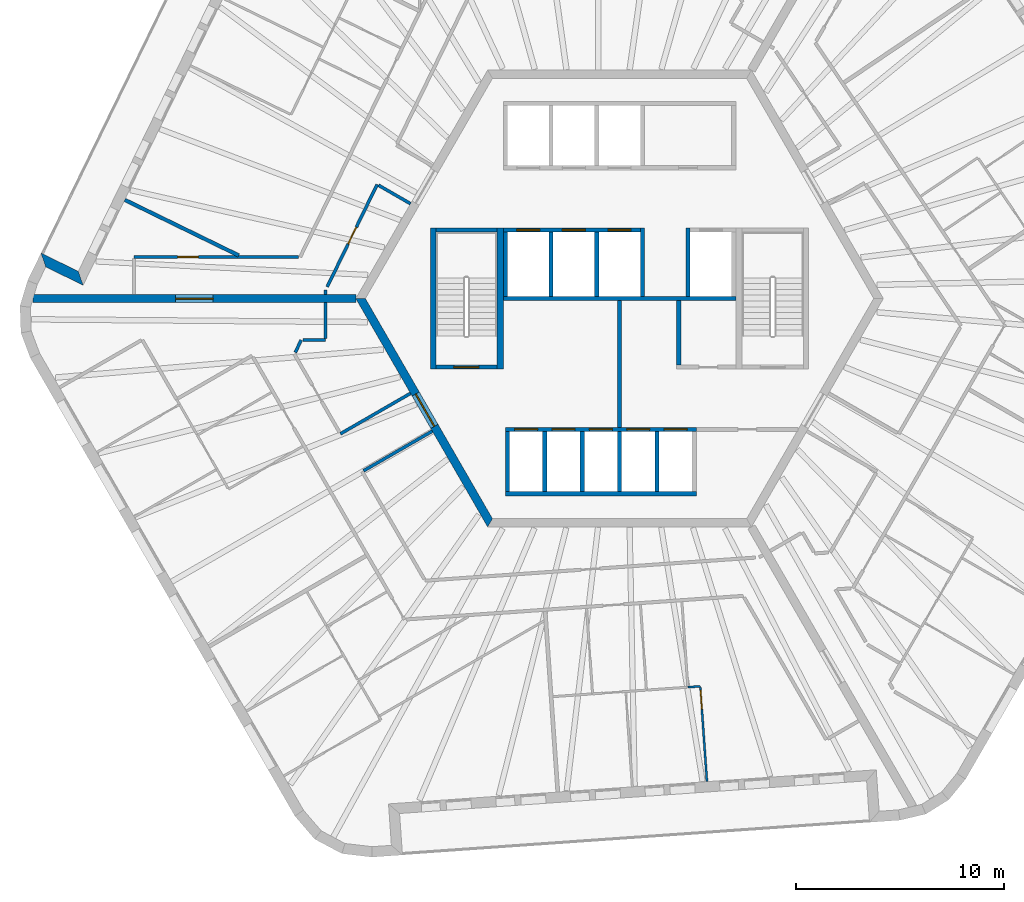
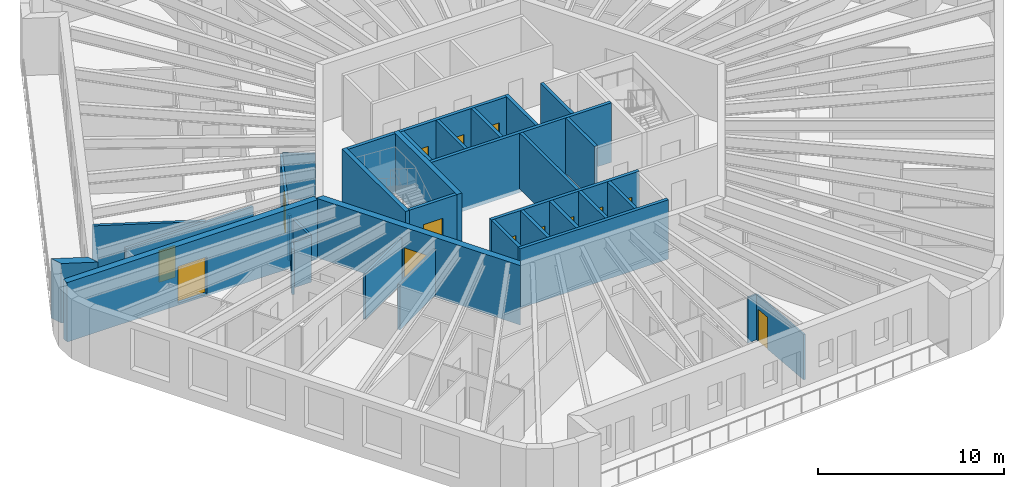
# One storey, part 5 of 12: 35 walls, 14 doors, 14 openings.
"""IFC4 building model written with IfcOpenShell, lengths in metres."""

from ifc_helpers import new_model, si_unit, direction, frame, frame_2d, origin, place, context, subcontext, project, spatial, polyline, rectangle, outline, extrude, material, layer, layer_set, type_object, element, fill, save


model = new_model("IFC4")

# Units and contexts
model_context = context("Model", 3, precision=1e-05, world=origin(), true_north=direction((0.0, 1.0)))
body_context = subcontext(model_context, "Body", "Model", "MODEL_VIEW")
ifc_project = project(units=[si_unit("LENGTHUNIT", "METRE"), si_unit("AREAUNIT", "SQUARE_METRE"), si_unit("VOLUMEUNIT", "CUBIC_METRE"), si_unit("PLANEANGLEUNIT", "RADIAN"), si_unit("MASSUNIT", "GRAM", prefix="KILO")], contexts=[model_context])

# Site, building, storey
site_placement = place(None, origin())
site = spatial("IfcSite", under=ifc_project, at=site_placement, CompositionType="ELEMENT")
building_placement = place(site_placement, origin())
building = spatial("IfcBuilding", under=site, at=building_placement, Name="Tarnside Tower", CompositionType="ELEMENT")
storey_placement = place(building_placement, frame((0.0, 0.0, 322.5)))
storey = spatial("IfcBuildingStorey", under=building, at=storey_placement, Name="L78", CompositionType="ELEMENT", Elevation=322.5)

# Walls
ifc_material_1 = material(Name="Concrete C40/50", Category="concrete")
ifc_layer_1 = layer(ifc_material_1, 0.199951171875)
ifc_layer_set_1 = layer_set([ifc_layer_1], Name="Core room partition 200 C40/50")
wall_type_1 = type_object("IfcWallType", Name="Core room partition 200 C40/50", PredefinedType="PARTITIONING", material=ifc_layer_set_1)
wall_1_placement = place(storey_placement, frame((2.85009765625, -3.199951171875, 0.0), z_axis=(0.0, 0.0, 1.0), x_axis=(0.0, 1.0, 0.0)))
element("IfcWall", 1, at=wall_1_placement, inside=storey, type_object=wall_type_1, Name="L78 core partition R3P1a", PredefinedType="PARTITIONING", context=body_context, shape_type="SweptSolid", body=[
    extrude(rectangle(XDim=3.099853515625, YDim=0.199951171875, at=frame_2d((1.5498046875, 0.0))), origin(), (0.0, 0.0, 1.0), 3.64990234375),
])
wall_2_placement = place(storey_placement, frame((0.0, -6.199951171875, 0.0), z_axis=(0.0, 0.0, 1.0), x_axis=(0.0, 1.0, 0.0)))
element("IfcWall", 2, at=wall_2_placement, inside=storey, type_object=wall_type_1, Name="L78 core partition X0", PredefinedType="PARTITIONING", context=body_context, shape_type="SweptSolid", body=[
    extrude(rectangle(XDim=6.099853515625, YDim=0.199951171875, at=frame_2d((3.0498046875, 0.0))), origin(), (0.0, 0.0, 1.0), 3.64990234375),
])

# Wall, opening, door
ifc_material_2 = material(Name="Concrete C60/75", Category="concrete")
ifc_layer_2 = layer(ifc_material_2, 0.39990234375)
ifc_layer_set_2 = layer_set([ifc_layer_2], Name="Core wall Z3 400 C60/75")
wall_type_2 = type_object("IfcWallType", Name="Core wall Z3 400 C60/75", PredefinedType="SHEAR", material=ifc_layer_set_2)
wall_3_placement = place(storey_placement, frame((-12.470703125, 0.0, -0.14990234375), z_axis=(0.0, 0.0, 1.0), x_axis=(0.499996419489, -0.866027470984, 0.0)))
wall_3 = element("IfcWall", 3, at=wall_3_placement, inside=storey, type_object=wall_type_2, Name="L78 core wall face 3", PredefinedType="SHEAR", context=body_context, shape_type="SweptSolid", body=[
    extrude(outline(polyline([(-0.115478515625, -0.199951171875), (12.586181640625, -0.199951171875), (12.355224609375, 0.199951171875), (0.115478515625, 0.199951171875), (-0.115478515625, -0.199951171875)])), origin(), (0.0, 0.0, 1.0), 3.89990234375),
])
opening_1_placement = place(wall_3_placement, frame((5.306396484375, 0.0, 0.14990234375)))
opening_1 = element("IfcOpeningElement", 4, at=opening_1_placement, cuts=wall_3, Name="Opening CD-FFL", PredefinedType="OPENING", context=body_context, shape_type="SweptSolid", body=[
    extrude(rectangle(XDim=1.800048828125, YDim=2.39990234375, at=frame_2d((0.89990234375, 1.199951171875))), frame((0.0, 0.2099609375, 0.0), z_axis=(0.0, -1.0, 0.0), x_axis=(1.0, 0.0, 0.0)), (0.0, 0.0, 1.0), 0.419921875),
])
ifc_material_3 = material(Name="Steel fire door", Category="steel")
door_type_1 = type_object("IfcDoorType", Name="Firefighting lobby double door FD60S 1800x2400", OperationType="NOTDEFINED", PredefinedType="DOOR", material=ifc_material_3)
door_1_placement = place(opening_1_placement, origin())
door_1 = element("IfcDoor", 5, at=door_1_placement, inside=storey, type_object=door_type_1, Name="L78 core door P3", OperationType="DOUBLE_DOOR_SINGLE_SWING", OverallHeight=2.39990234375, OverallWidth=1.800048828125, PredefinedType="DOOR", context=body_context, shape_type="SweptSolid", body=[
    extrude(rectangle(XDim=1.800048828125, YDim=2.39990234375, at=frame_2d((0.89990234375, 1.199951171875))), frame((0.0, 0.02490234375, 0.0), z_axis=(0.0, -1.0, 0.0), x_axis=(1.0, 0.0, 0.0)), (0.0, 0.0, 1.0), 0.050048828125),
])
fill(opening_1, door_1)

wall_4_placement = place(storey_placement, frame((-12.70166015625, 0.0, -0.14990234375), z_axis=(0.0, 0.0, 1.0), x_axis=(-1.0, 0.0, 0.0)))
wall_4 = element("IfcWall", 6, at=wall_4_placement, inside=storey, type_object=wall_type_2, Name="L78 spine wall 2", PredefinedType="SHEAR", context=body_context, shape_type="SweptSolid", body=[
    extrude(rectangle(XDim=15.54443359375, YDim=0.39990234375, at=frame_2d((7.772216796875, 0.0))), origin(), (0.0, 0.0, 1.0), 3.89990234375),
])
opening_2_placement = place(wall_4_placement, frame((6.872314453125, 0.0, 0.14990234375)))
opening_2 = element("IfcOpeningElement", 7, at=opening_2_placement, cuts=wall_4, Name="Opening CD-SPN", PredefinedType="OPENING", context=body_context, shape_type="SweptSolid", body=[
    extrude(rectangle(XDim=1.800048828125, YDim=2.39990234375, at=frame_2d((0.89990234375, 1.199951171875))), frame((0.0, 0.2099609375, 0.0), z_axis=(0.0, -1.0, 0.0), x_axis=(1.0, 0.0, 0.0)), (0.0, 0.0, 1.0), 0.419921875),
])
door_type_2 = type_object("IfcDoorType", Name="Spine passage double door FD60 1800x2400", OperationType="NOTDEFINED", PredefinedType="DOOR", material=ifc_material_3)
door_2_placement = place(opening_2_placement, origin())
door_2 = element("IfcDoor", 8, at=door_2_placement, inside=storey, type_object=door_type_2, Name="L78 spine passage door 2", OperationType="DOUBLE_DOOR_SINGLE_SWING", OverallHeight=2.39990234375, OverallWidth=1.800048828125, PredefinedType="DOOR", context=body_context, shape_type="SweptSolid", body=[
    extrude(rectangle(XDim=1.800048828125, YDim=2.39990234375, at=frame_2d((0.89990234375, 1.199951171875))), frame((0.0, 0.02490234375, 0.0), z_axis=(0.0, -1.0, 0.0), x_axis=(1.0, 0.0, 0.0)), (0.0, 0.0, 1.0), 0.050048828125),
])
fill(opening_2, door_2)

ifc_material_4 = material(Name="Gypsum board partition on steel studs", Category="steel")
ifc_layer_3 = layer(ifc_material_4, 0.14990234375)
ifc_layer_set_3 = layer_set([ifc_layer_3], Name="Corridor wall 150 EI 60")
wall_type_3 = type_object("IfcWallType", Name="Corridor wall 150 EI 60", PredefinedType="PARTITIONING", material=ifc_layer_set_3)
wall_5_placement = place(storey_placement, frame((-15.463134765625, 2.0, 0.0), z_axis=(0.0, 0.0, 1.0), x_axis=(-1.0, 0.0, 0.0)))
wall_5 = element("IfcWall", 9, at=wall_5_placement, inside=storey, type_object=wall_type_3, Name="Corridor wall 25014", PredefinedType="PARTITIONING", context=body_context, shape_type="SweptSolid", body=[
    extrude(rectangle(XDim=7.910888671875, YDim=0.14990234375, at=frame_2d((3.95556640625, 0.0))), origin(), (0.0, 0.0, 1.0), 2.98779296875),
])
opening_3_placement = place(wall_5_placement, frame((4.8173828125, 0.0, 0.0)))
opening_3 = element("IfcOpeningElement", 10, at=opening_3_placement, cuts=wall_5, Name="Opening D-E1", PredefinedType="OPENING", context=body_context, shape_type="SweptSolid", body=[
    extrude(rectangle(XDim=1.0, YDim=2.10009765625, at=frame_2d((0.5, 1.050048828125))), frame((0.0, 0.0849609375, 0.0), z_axis=(0.0, -1.0, 0.0), x_axis=(1.0, 0.0, 0.0)), (0.0, 0.0, 1.0), 0.169921875),
])
ifc_material_5 = material(Name="Timber door leaf", Category="wood")
door_type_3 = type_object("IfcDoorType", Name="Unit entrance door 1000 FD30S", OperationType="NOTDEFINED", PredefinedType="DOOR", material=ifc_material_5)
door_3_placement = place(opening_3_placement, origin())
door_3 = element("IfcDoor", 11, at=door_3_placement, inside=storey, type_object=door_type_3, Name="Unit door 25021", OperationType="SINGLE_SWING_LEFT", OverallHeight=2.10009765625, OverallWidth=1.0, PredefinedType="DOOR", context=body_context, shape_type="SweptSolid", body=[
    extrude(rectangle(XDim=1.0, YDim=2.10009765625, at=frame_2d((0.5, 1.050048828125))), frame((0.0, 0.02490234375, 0.0), z_axis=(0.0, -1.0, 0.0), x_axis=(1.0, 0.0, 0.0)), (0.0, 0.0, 1.0), 0.050048828125),
])
fill(opening_3, door_3)

# Wall
wall_6_placement = place(storey_placement, frame((-14.152587890625, 0.199951171875, 0.0), z_axis=(0.0, 0.0, 1.0), x_axis=(0.0, 1.0, 0.0)))
element("IfcWall", 12, at=wall_6_placement, inside=storey, type_object=wall_type_3, Name="Corridor wall 25025", PredefinedType="PARTITIONING", context=body_context, shape_type="SweptSolid", body=[
    extrude(rectangle(XDim=0.210205078125, YDim=0.14990234375, at=frame_2d((0.10498046875, 0.0))), origin(), (0.0, 0.0, 1.0), 2.98779296875),
])

# Wall, opening, door
wall_7_placement = place(storey_placement, frame((-14.07763671875, 0.563720703125, 0.0), z_axis=(0.0, 0.0, 1.0), x_axis=(0.438378907599, 0.898790261058, 0.0)))
wall_7 = element("IfcWall", 13, at=wall_7_placement, inside=storey, type_object=wall_type_3, Name="Corridor wall 25026", PredefinedType="PARTITIONING", context=body_context, shape_type="SweptSolid", body=[
    extrude(rectangle(XDim=5.485107421875, YDim=0.14990234375, at=frame_2d((2.74267578125, 0.0))), origin(), (0.0, 0.0, 1.0), 2.98779296875),
])
opening_4_placement = place(wall_7_placement, frame((2.29248046875, 0.0, 0.0)))
opening_4 = element("IfcOpeningElement", 14, at=opening_4_placement, cuts=wall_7, Name="Opening D-S1", PredefinedType="OPENING", context=body_context, shape_type="SweptSolid", body=[
    extrude(rectangle(XDim=0.89990234375, YDim=2.10009765625, at=frame_2d((0.449951171875, 1.050048828125))), frame((0.0, 0.0849609375, 0.0), z_axis=(0.0, -1.0, 0.0), x_axis=(1.0, 0.0, 0.0)), (0.0, 0.0, 1.0), 0.169921875),
])
door_type_4 = type_object("IfcDoorType", Name="Service room door 900 FD30S", OperationType="NOTDEFINED", PredefinedType="DOOR", material=ifc_material_5)
door_4_placement = place(opening_4_placement, origin())
door_4 = element("IfcDoor", 15, at=door_4_placement, inside=storey, type_object=door_type_4, Name="Service door 25072", OperationType="SINGLE_SWING_LEFT", OverallHeight=2.10009765625, OverallWidth=0.89990234375, PredefinedType="DOOR", context=body_context, shape_type="SweptSolid", body=[
    extrude(rectangle(XDim=0.89990234375, YDim=2.10009765625, at=frame_2d((0.449951171875, 1.050048828125))), frame((0.0, 0.02490234375, 0.0), z_axis=(0.0, -1.0, 0.0), x_axis=(1.0, 0.0, 0.0)), (0.0, 0.0, 1.0), 0.050048828125),
])
fill(opening_4, door_4)

# Walls
wall_8_placement = place(storey_placement, frame((-11.60791015625, 5.4560546875, 0.0), z_axis=(0.0, 0.0, 1.0), x_axis=(0.866032625367, -0.499987491644, 0.0)))
element("IfcWall", 16, at=wall_8_placement, inside=storey, type_object=wall_type_3, Name="Corridor wall 25027", PredefinedType="PARTITIONING", context=body_context, shape_type="SweptSolid", body=[
    extrude(rectangle(XDim=1.78076171875, YDim=0.14990234375, at=frame_2d((0.890380859375, 0.0))), origin(), (0.0, 0.0, 1.0), 2.98779296875),
])
wall_9_placement = place(storey_placement, frame((-10.065673828125, -4.565673828125, 0.0), z_axis=(0.0, 0.0, 1.0), x_axis=(-0.866027128446, -0.499997012787, 0.0)))
element("IfcWall", 17, at=wall_9_placement, inside=storey, type_object=wall_type_3, Name="Corridor wall 25044", PredefinedType="PARTITIONING", context=body_context, shape_type="SweptSolid", body=[
    extrude(rectangle(XDim=3.89990234375, YDim=0.14990234375, at=frame_2d((1.949951171875, 0.0))), origin(), (0.0, 0.0, 1.0), 2.98779296875),
])
wall_10_placement = place(storey_placement, frame((-15.619140625, -2.596923828125, 0.0), z_axis=(0.0, 0.0, 1.0), x_axis=(0.438220812173, 0.898867353828, 0.0)))
element("IfcWall", 18, at=wall_10_placement, inside=storey, type_object=wall_type_3, Name="Corridor wall 25046", PredefinedType="PARTITIONING", context=body_context, shape_type="SweptSolid", body=[
    extrude(rectangle(XDim=0.6640625, YDim=0.14990234375, at=frame_2d((0.33203125, 0.0))), origin(), (0.0, 0.0, 1.0), 2.98779296875),
])
wall_11_placement = place(storey_placement, frame((-15.24462890625, -2.0, 0.0), z_axis=(0.0, 0.0, 1.0), x_axis=(1.0, 0.0, 0.0)))
element("IfcWall", 19, at=wall_11_placement, inside=storey, type_object=wall_type_3, Name="Corridor wall 25047", PredefinedType="PARTITIONING", context=body_context, shape_type="SweptSolid", body=[
    extrude(rectangle(XDim=1.092041015625, YDim=0.14990234375, at=frame_2d((0.5458984375, 0.0))), origin(), (0.0, 0.0, 1.0), 2.98779296875),
])
wall_12_placement = place(storey_placement, frame((-14.152587890625, -1.925048828125, 0.0), z_axis=(0.0, 0.0, 1.0), x_axis=(0.0, 1.0, 0.0)))
element("IfcWall", 20, at=wall_12_placement, inside=storey, type_object=wall_type_3, Name="Corridor wall 25048", PredefinedType="PARTITIONING", context=body_context, shape_type="SweptSolid", body=[
    extrude(rectangle(XDim=1.72509765625, YDim=0.14990234375, at=frame_2d((0.862548828125, 0.0))), origin(), (0.0, 0.0, 1.0), 2.98779296875),
])
wall_13_placement = place(storey_placement, frame((-12.328369140625, -8.296875, 0.0), z_axis=(0.0, 0.0, 1.0), x_axis=(0.866027222339, 0.499996850159, 0.0)))
element("IfcWall", 21, at=wall_13_placement, inside=storey, type_object=wall_type_3, Name="Corridor wall 25052", PredefinedType="PARTITIONING", context=body_context, shape_type="SweptSolid", body=[
    extrude(rectangle(XDim=3.8251953125, YDim=0.14990234375, at=frame_2d((1.91259765625, 0.0))), origin(), (0.0, 0.0, 1.0), 2.98779296875),
])
ifc_layer_4 = layer(ifc_material_4, 0.179931640625)
ifc_layer_set_4 = layer_set([ifc_layer_4], Name="Demising wall 180 EI 60")
wall_type_4 = type_object("IfcWallType", Name="Demising wall 180 EI 60", PredefinedType="PARTITIONING", material=ifc_layer_set_4)
wall_14_placement = place(storey_placement, frame((-23.82861328125, 4.75146484375, 0.0), z_axis=(0.0, 0.0, 1.0), x_axis=(0.898782665031, -0.438394481079, 0.0)))
element("IfcWall", 22, at=wall_14_placement, inside=storey, type_object=wall_type_4, Name="Demising wall 25107", PredefinedType="PARTITIONING", context=body_context, shape_type="SweptSolid", body=[
    extrude(rectangle(XDim=6.105224609375, YDim=0.179931640625, at=frame_2d((3.052734375, 0.0))), origin(), (0.0, 0.0, 1.0), 2.98779296875),
])

# Wall, openings, doors
ifc_layer_5 = layer(ifc_material_1, 0.199951171875)
ifc_layer_set_5 = layer_set([ifc_layer_5], Name="Lift shaft wall 200 C40/50")
wall_type_5 = type_object("IfcWallType", Name="Lift shaft wall 200 C40/50", PredefinedType="SHEAR", material=ifc_layer_set_5)
wall_15_placement = place(storey_placement, frame((-5.60009765625, 3.300048828125, -0.25), z_axis=(0.0, 0.0, 1.0), x_axis=(1.0, 0.0, 0.0)))
wall_15 = element("IfcWall", 23, at=wall_15_placement, inside=storey, type_object=wall_type_5, Name="L78 lift shaft front wall R2", PredefinedType="SHEAR", context=body_context, shape_type="SweptSolid", body=[
    extrude(rectangle(XDim=6.60009765625, YDim=0.199951171875, at=frame_2d((3.300048828125, 0.0))), origin(), (0.0, 0.0, 1.0), 3.89990234375),
])
opening_5_placement = place(wall_15_placement, frame((0.64990234375, 0.0, 0.25)))
opening_5 = element("IfcOpeningElement", 24, at=opening_5_placement, cuts=wall_15, Name="Opening LD", PredefinedType="OPENING", context=body_context, shape_type="SweptSolid", body=[
    extrude(rectangle(XDim=1.10009765625, YDim=2.10009765625, at=frame_2d((0.550048828125, 1.050048828125))), frame((0.0, 0.10986328125, 0.0), z_axis=(0.0, -1.0, 0.0), x_axis=(1.0, 0.0, 0.0)), (0.0, 0.0, 1.0), 0.219970703125),
])
opening_6_placement = place(wall_15_placement, frame((2.85009765625, 0.0, 0.25)))
opening_6 = element("IfcOpeningElement", 25, at=opening_6_placement, cuts=wall_15, Name="Opening LD", PredefinedType="OPENING", context=body_context, shape_type="SweptSolid", body=[
    extrude(rectangle(XDim=1.10009765625, YDim=2.10009765625, at=frame_2d((0.550048828125, 1.050048828125))), frame((0.0, 0.10986328125, 0.0), z_axis=(0.0, -1.0, 0.0), x_axis=(1.0, 0.0, 0.0)), (0.0, 0.0, 1.0), 0.219970703125),
])
opening_7_placement = place(wall_15_placement, frame((5.050048828125, 0.0, 0.25)))
opening_7 = element("IfcOpeningElement", 26, at=opening_7_placement, cuts=wall_15, Name="Opening LD", PredefinedType="OPENING", context=body_context, shape_type="SweptSolid", body=[
    extrude(rectangle(XDim=1.10009765625, YDim=2.10009765625, at=frame_2d((0.550048828125, 1.050048828125))), frame((0.0, 0.10986328125, 0.0), z_axis=(0.0, -1.0, 0.0), x_axis=(1.0, 0.0, 0.0)), (0.0, 0.0, 1.0), 0.219970703125),
])
ifc_material_6 = material(Name="Stainless steel", Category="steel")
door_type_5 = type_object("IfcDoorType", Name="Lift landing door 1100x2100", OperationType="NOTDEFINED", PredefinedType="DOOR", material=ifc_material_6)
door_5_placement = place(opening_5_placement, origin())
door_5 = element("IfcDoor", 27, at=door_5_placement, inside=storey, type_object=door_type_5, Name="High-rise lift 4 landing door L78", OperationType="SLIDING_TO_LEFT", OverallHeight=2.10009765625, OverallWidth=1.10009765625, PredefinedType="DOOR", context=body_context, shape_type="SweptSolid", body=[
    extrude(rectangle(XDim=1.10009765625, YDim=2.10009765625, at=frame_2d((0.550048828125, 1.050048828125))), frame((0.0, 0.02490234375, 0.0), z_axis=(0.0, -1.0, 0.0), x_axis=(1.0, 0.0, 0.0)), (0.0, 0.0, 1.0), 0.050048828125),
])
fill(opening_5, door_5)
door_6_placement = place(opening_6_placement, origin())
door_6 = element("IfcDoor", 28, at=door_6_placement, inside=storey, type_object=door_type_5, Name="High-rise lift 5 landing door L78", OperationType="SLIDING_TO_LEFT", OverallHeight=2.10009765625, OverallWidth=1.10009765625, PredefinedType="DOOR", context=body_context, shape_type="SweptSolid", body=[
    extrude(rectangle(XDim=1.10009765625, YDim=2.10009765625, at=frame_2d((0.550048828125, 1.050048828125))), frame((0.0, 0.02490234375, 0.0), z_axis=(0.0, -1.0, 0.0), x_axis=(1.0, 0.0, 0.0)), (0.0, 0.0, 1.0), 0.050048828125),
])
fill(opening_6, door_6)
door_7_placement = place(opening_7_placement, origin())
door_7 = element("IfcDoor", 29, at=door_7_placement, inside=storey, type_object=door_type_5, Name="High-rise lift 6 landing door L78", OperationType="SLIDING_TO_LEFT", OverallHeight=2.10009765625, OverallWidth=1.10009765625, PredefinedType="DOOR", context=body_context, shape_type="SweptSolid", body=[
    extrude(rectangle(XDim=1.10009765625, YDim=2.10009765625, at=frame_2d((0.550048828125, 1.050048828125))), frame((0.0, 0.02490234375, 0.0), z_axis=(0.0, -1.0, 0.0), x_axis=(1.0, 0.0, 0.0)), (0.0, 0.0, 1.0), 0.050048828125),
])
fill(opening_7, door_7)

# Walls
wall_16_placement = place(storey_placement, frame((-5.60009765625, 0.0, -0.25), z_axis=(0.0, 0.0, 1.0), x_axis=(1.0, 0.0, 0.0)))
element("IfcWall", 30, at=wall_16_placement, inside=storey, type_object=wall_type_5, Name="L78 lift shaft back wall R2", PredefinedType="SHEAR", context=body_context, shape_type="SweptSolid", body=[
    extrude(rectangle(XDim=11.2001953125, YDim=0.199951171875, at=frame_2d((5.60009765625, 0.0))), origin(), (0.0, 0.0, 1.0), 3.89990234375),
])
for number, where, z_axis, x_axis, name in (
    (31, (-5.5, 0.10009765625, -0.25), (0.0, 0.0, 1.0), (0.0, 1.0, 0.0), "L78 lift shaft partition R21"),
    (32, (-3.300048828125, 0.10009765625, -0.25), (0.0, 0.0, 1.0), (0.0, 1.0, 0.0), "L78 lift shaft partition R22"),
    (33, (-1.10009765625, 0.10009765625, -0.25), (0.0, 0.0, 1.0), (0.0, 1.0, 0.0), "L78 lift shaft partition R23"),
):
    element("IfcWall", number, at=place(storey_placement, frame(where, z_axis=z_axis, x_axis=x_axis)), inside=storey, type_object=wall_type_5, Name=name, PredefinedType="SHEAR", context=body_context, shape_type="SweptSolid", body=[
        extrude(rectangle(XDim=3.099853515625, YDim=0.199951171875, at=frame_2d((1.5498046875, 0.0))), origin(), (0.0, 0.0, 1.0), 3.89990234375),
    ])
for number, where, z_axis, x_axis, name in (
    (34, (1.10009765625, 0.10009765625, -0.25), (0.0, 0.0, 1.0), (0.0, 1.0, 0.0), "L78 lift shaft partition R24"),
    (35, (3.300048828125, 0.10009765625, -0.25), (0.0, 0.0, 1.0), (0.0, 1.0, 0.0), "L78 lift shaft partition R25"),
):
    element("IfcWall", number, at=place(storey_placement, frame(where, z_axis=z_axis, x_axis=x_axis)), inside=storey, type_object=wall_type_5, Name=name, PredefinedType="SHEAR", context=body_context, shape_type="SweptSolid", body=[
        extrude(rectangle(XDim=3.2998046875, YDim=0.199951171875, at=frame_2d((1.64990234375, 0.0))), origin(), (0.0, 0.0, 1.0), 3.89990234375),
    ])

# Wall, openings, doors
wall_17_placement = place(storey_placement, frame((-5.5, -6.300048828125, -0.25), z_axis=(0.0, 0.0, 1.0), x_axis=(1.0, 0.0, 0.0)))
wall_17 = element("IfcWall", 36, at=wall_17_placement, inside=storey, type_object=wall_type_5, Name="L78 lift shaft front wall R4", PredefinedType="SHEAR", context=body_context, shape_type="SweptSolid", body=[
    extrude(rectangle(XDim=9.199951171875, YDim=0.199951171875, at=frame_2d((4.60009765625, 0.0))), origin(), (0.0, 0.0, 1.0), 3.89990234375),
])
opening_8_placement = place(wall_17_placement, frame((0.449951171875, 0.0, 0.25)))
opening_8 = element("IfcOpeningElement", 37, at=opening_8_placement, cuts=wall_17, Name="Opening LDF", PredefinedType="OPENING", context=body_context, shape_type="SweptSolid", body=[
    extrude(rectangle(XDim=1.10009765625, YDim=2.10009765625, at=frame_2d((0.550048828125, 1.050048828125))), frame((0.0, 0.10986328125, 0.0), z_axis=(0.0, -1.0, 0.0), x_axis=(1.0, 0.0, 0.0)), (0.0, 0.0, 1.0), 0.219970703125),
])
opening_9_placement = place(wall_17_placement, frame((2.25, 0.0, 0.25)))
opening_9 = element("IfcOpeningElement", 38, at=opening_9_placement, cuts=wall_17, Name="Opening LDF", PredefinedType="OPENING", context=body_context, shape_type="SweptSolid", body=[
    extrude(rectangle(XDim=1.10009765625, YDim=2.10009765625, at=frame_2d((0.550048828125, 1.050048828125))), frame((0.0, 0.10986328125, 0.0), z_axis=(0.0, -1.0, 0.0), x_axis=(1.0, 0.0, 0.0)), (0.0, 0.0, 1.0), 0.219970703125),
])
opening_10_placement = place(wall_17_placement, frame((4.050048828125, 0.0, 0.25)))
opening_10 = element("IfcOpeningElement", 39, at=opening_10_placement, cuts=wall_17, Name="Opening LDF", PredefinedType="OPENING", context=body_context, shape_type="SweptSolid", body=[
    extrude(rectangle(XDim=1.10009765625, YDim=2.10009765625, at=frame_2d((0.550048828125, 1.050048828125))), frame((0.0, 0.10986328125, 0.0), z_axis=(0.0, -1.0, 0.0), x_axis=(1.0, 0.0, 0.0)), (0.0, 0.0, 1.0), 0.219970703125),
])
opening_11_placement = place(wall_17_placement, frame((5.85009765625, 0.0, 0.25)))
opening_11 = element("IfcOpeningElement", 40, at=opening_11_placement, cuts=wall_17, Name="Opening LDF", PredefinedType="OPENING", context=body_context, shape_type="SweptSolid", body=[
    extrude(rectangle(XDim=1.10009765625, YDim=2.10009765625, at=frame_2d((0.550048828125, 1.050048828125))), frame((0.0, 0.10986328125, 0.0), z_axis=(0.0, -1.0, 0.0), x_axis=(1.0, 0.0, 0.0)), (0.0, 0.0, 1.0), 0.219970703125),
])
opening_12_placement = place(wall_17_placement, frame((7.64990234375, 0.0, 0.25)))
opening_12 = element("IfcOpeningElement", 41, at=opening_12_placement, cuts=wall_17, Name="Opening LDF", PredefinedType="OPENING", context=body_context, shape_type="SweptSolid", body=[
    extrude(rectangle(XDim=1.10009765625, YDim=2.10009765625, at=frame_2d((0.550048828125, 1.050048828125))), frame((0.0, 0.10986328125, 0.0), z_axis=(0.0, -1.0, 0.0), x_axis=(1.0, 0.0, 0.0)), (0.0, 0.0, 1.0), 0.219970703125),
])
door_type_6 = type_object("IfcDoorType", Name="Lift landing door 1100x2100 EI 120", OperationType="NOTDEFINED", PredefinedType="DOOR", material=ifc_material_6)
door_8_placement = place(opening_8_placement, origin())
door_8 = element("IfcDoor", 42, at=door_8_placement, inside=storey, type_object=door_type_6, Name="Firefighting lift 1 landing door L78", OperationType="SLIDING_TO_LEFT", OverallHeight=2.10009765625, OverallWidth=1.10009765625, PredefinedType="DOOR", context=body_context, shape_type="SweptSolid", body=[
    extrude(rectangle(XDim=1.10009765625, YDim=2.10009765625, at=frame_2d((0.550048828125, 1.050048828125))), frame((0.0, 0.02490234375, 0.0), z_axis=(0.0, -1.0, 0.0), x_axis=(1.0, 0.0, 0.0)), (0.0, 0.0, 1.0), 0.050048828125),
])
fill(opening_8, door_8)
door_9_placement = place(opening_9_placement, origin())
door_9 = element("IfcDoor", 43, at=door_9_placement, inside=storey, type_object=door_type_6, Name="Firefighting lift 2 landing door L78", OperationType="SLIDING_TO_LEFT", OverallHeight=2.10009765625, OverallWidth=1.10009765625, PredefinedType="DOOR", context=body_context, shape_type="SweptSolid", body=[
    extrude(rectangle(XDim=1.10009765625, YDim=2.10009765625, at=frame_2d((0.550048828125, 1.050048828125))), frame((0.0, 0.02490234375, 0.0), z_axis=(0.0, -1.0, 0.0), x_axis=(1.0, 0.0, 0.0)), (0.0, 0.0, 1.0), 0.050048828125),
])
fill(opening_9, door_9)
door_10_placement = place(opening_10_placement, origin())
door_10 = element("IfcDoor", 44, at=door_10_placement, inside=storey, type_object=door_type_6, Name="Firefighting lift 3 landing door L78", OperationType="SLIDING_TO_LEFT", OverallHeight=2.10009765625, OverallWidth=1.10009765625, PredefinedType="DOOR", context=body_context, shape_type="SweptSolid", body=[
    extrude(rectangle(XDim=1.10009765625, YDim=2.10009765625, at=frame_2d((0.550048828125, 1.050048828125))), frame((0.0, 0.02490234375, 0.0), z_axis=(0.0, -1.0, 0.0), x_axis=(1.0, 0.0, 0.0)), (0.0, 0.0, 1.0), 0.050048828125),
])
fill(opening_10, door_10)
door_11_placement = place(opening_11_placement, origin())
door_11 = element("IfcDoor", 45, at=door_11_placement, inside=storey, type_object=door_type_6, Name="Firefighting lift 4 landing door L78", OperationType="SLIDING_TO_LEFT", OverallHeight=2.10009765625, OverallWidth=1.10009765625, PredefinedType="DOOR", context=body_context, shape_type="SweptSolid", body=[
    extrude(rectangle(XDim=1.10009765625, YDim=2.10009765625, at=frame_2d((0.550048828125, 1.050048828125))), frame((0.0, 0.02490234375, 0.0), z_axis=(0.0, -1.0, 0.0), x_axis=(1.0, 0.0, 0.0)), (0.0, 0.0, 1.0), 0.050048828125),
])
fill(opening_11, door_11)
door_12_placement = place(opening_12_placement, origin())
door_12 = element("IfcDoor", 46, at=door_12_placement, inside=storey, type_object=door_type_6, Name="Firefighting lift 5 landing door L78", OperationType="SLIDING_TO_LEFT", OverallHeight=2.10009765625, OverallWidth=1.10009765625, PredefinedType="DOOR", context=body_context, shape_type="SweptSolid", body=[
    extrude(rectangle(XDim=1.10009765625, YDim=2.10009765625, at=frame_2d((0.550048828125, 1.050048828125))), frame((0.0, 0.02490234375, 0.0), z_axis=(0.0, -1.0, 0.0), x_axis=(1.0, 0.0, 0.0)), (0.0, 0.0, 1.0), 0.050048828125),
])
fill(opening_12, door_12)

# Walls
wall_18_placement = place(storey_placement, frame((-5.5, -9.39990234375, -0.25), z_axis=(0.0, 0.0, 1.0), x_axis=(1.0, 0.0, 0.0)))
element("IfcWall", 47, at=wall_18_placement, inside=storey, type_object=wall_type_5, Name="L78 lift shaft back wall R4", PredefinedType="SHEAR", context=body_context, shape_type="SweptSolid", body=[
    extrude(rectangle(XDim=9.199951171875, YDim=0.199951171875, at=frame_2d((4.60009765625, 0.0))), origin(), (0.0, 0.0, 1.0), 3.89990234375),
])
for number, where, z_axis, x_axis, name in (
    (48, (-5.39990234375, -9.300048828125, -0.25), (0.0, 0.0, 1.0), (0.0, 1.0, 0.0), "L78 lift shaft partition R41"),
    (49, (-3.60009765625, -9.300048828125, -0.25), (0.0, 0.0, 1.0), (0.0, 1.0, 0.0), "L78 lift shaft partition R42"),
    (50, (-1.800048828125, -9.300048828125, -0.25), (0.0, 0.0, 1.0), (0.0, 1.0, 0.0), "L78 lift shaft partition R43"),
    (51, (0.0, -9.300048828125, -0.25), (0.0, 0.0, 1.0), (0.0, 1.0, 0.0), "L78 lift shaft partition R44"),
    (52, (1.800048828125, -9.300048828125, -0.25), (0.0, 0.0, 1.0), (0.0, 1.0, 0.0), "L78 lift shaft partition R45"),
):
    element("IfcWall", number, at=place(storey_placement, frame(where, z_axis=z_axis, x_axis=x_axis)), inside=storey, type_object=wall_type_5, Name=name, PredefinedType="SHEAR", context=body_context, shape_type="SweptSolid", body=[
        extrude(rectangle(XDim=2.900146484375, YDim=0.199951171875, at=frame_2d((1.4501953125, 0.0))), origin(), (0.0, 0.0, 1.0), 3.89990234375),
    ])
wall_19_placement = place(storey_placement, frame((-8.85009765625, 3.300048828125, -0.25), z_axis=(0.0, 0.0, 1.0), x_axis=(1.0, 0.0, 0.0)))
element("IfcWall", 53, at=wall_19_placement, inside=storey, type_object=wall_type_5, Name="L78 stair 2 enclosure cap wall n", PredefinedType="SHEAR", context=body_context, shape_type="SweptSolid", body=[
    extrude(rectangle(XDim=2.9501953125, YDim=0.199951171875, at=frame_2d((1.47509765625, 0.0))), origin(), (0.0, 0.0, 1.0), 3.89990234375),
])

# Wall, opening, door
wall_20_placement = place(storey_placement, frame((-8.85009765625, -3.300048828125, -0.25), z_axis=(0.0, 0.0, 1.0), x_axis=(1.0, 0.0, 0.0)))
wall_20 = element("IfcWall", 54, at=wall_20_placement, inside=storey, type_object=wall_type_5, Name="L78 stair 2 enclosure cap wall s", PredefinedType="SHEAR", context=body_context, shape_type="SweptSolid", body=[
    extrude(rectangle(XDim=2.9501953125, YDim=0.199951171875, at=frame_2d((1.47509765625, 0.0))), origin(), (0.0, 0.0, 1.0), 3.89990234375),
])
opening_13_placement = place(wall_20_placement, frame((0.875, 0.0, 0.25)))
opening_13 = element("IfcOpeningElement", 55, at=opening_13_placement, cuts=wall_20, Name="Opening CD-STR", PredefinedType="OPENING", context=body_context, shape_type="SweptSolid", body=[
    extrude(rectangle(XDim=1.199951171875, YDim=2.39990234375, at=frame_2d((0.60009765625, 1.199951171875))), frame((0.0, 0.10986328125, 0.0), z_axis=(0.0, -1.0, 0.0), x_axis=(1.0, 0.0, 0.0)), (0.0, 0.0, 1.0), 0.219970703125),
])
door_type_7 = type_object("IfcDoorType", Name="Stair door FD60S 1200x2400", OperationType="NOTDEFINED", PredefinedType="DOOR", material=ifc_material_3)
door_13_placement = place(opening_13_placement, origin())
door_13 = element("IfcDoor", 56, at=door_13_placement, inside=storey, type_object=door_type_7, Name="L78 stair 2 door", OperationType="SINGLE_SWING_LEFT", OverallHeight=2.39990234375, OverallWidth=1.199951171875, PredefinedType="DOOR", context=body_context, shape_type="SweptSolid", body=[
    extrude(rectangle(XDim=1.199951171875, YDim=2.39990234375, at=frame_2d((0.60009765625, 1.199951171875))), frame((0.0, 0.02490234375, 0.0), z_axis=(0.0, -1.0, 0.0), x_axis=(1.0, 0.0, 0.0)), (0.0, 0.0, 1.0), 0.050048828125),
])
fill(opening_13, door_13)

# Walls
ifc_material_7 = material(Name="Dark zinc cladding")
ifc_layer_6 = layer(ifc_material_7, 0.10205078125)
ifc_material_8 = material(Name="Concrete C60/75 precast", Category="concrete")
ifc_layer_7 = layer(ifc_material_8, 0.298095703125)
ifc_material_9 = material(Name="Mineral wool insulation")
ifc_layer_8 = layer(ifc_material_9, 0.10009765625)
ifc_layer_set_6 = layer_set([ifc_layer_6, ifc_layer_7, ifc_layer_8], Name="Loggia wall 500 zinc faced")
wall_type_6 = type_object("IfcWallType", Name="Loggia wall 500 zinc faced", PredefinedType="SOLIDWALL", material=ifc_layer_set_6)
wall_21_placement = place(storey_placement, frame((-25.9482421875, 0.97607421875, -0.14990234375), z_axis=(0.0, 0.0, 1.0), x_axis=(-0.898802465371, 0.438353884714, 0.0)))
element("IfcWall", 57, at=wall_21_placement, inside=storey, type_object=wall_type_6, Name="Tube wall L78 F2 return 07", PredefinedType="SOLIDWALL", context=body_context, shape_type="SweptSolid", body=[
    extrude(outline(polyline([(0.25, -0.25), (2.25, -0.25), (1.75, 0.25), (-0.25, 0.25), (0.25, -0.25)])), origin(), (0.0, 0.0, 1.0), 3.89990234375),
])
ifc_layer_9 = layer(ifc_material_4, 0.10009765625)
ifc_layer_set_7 = layer_set([ifc_layer_9], Name="Partition 100")
wall_type_7 = type_object("IfcWallType", Name="Partition 100", PredefinedType="PARTITIONING", material=ifc_layer_set_7)
wall_22_placement = place(storey_placement, frame((3.286865234375, -18.71630859375, 0.0), z_axis=(0.0, 0.0, 1.0), x_axis=(0.997564613391, 0.069748420123, 0.0)))
element("IfcWall", 58, at=wall_22_placement, inside=storey, type_object=wall_type_7, Name="Partition wall 25136", PredefinedType="PARTITIONING", context=body_context, shape_type="SweptSolid", body=[
    extrude(rectangle(XDim=0.60205078125, YDim=0.10009765625, at=frame_2d((0.301025390625, 0.0))), origin(), (0.0, 0.0, 1.0), 2.98779296875),
])

# Wall, opening, door
wall_23_placement = place(storey_placement, frame((3.890869140625, -18.72412109375, 0.0), z_axis=(0.0, 0.0, 1.0), x_axis=(0.06975224022, -0.997564346288, 0.0)))
wall_23 = element("IfcWall", 59, at=wall_23_placement, inside=storey, type_object=wall_type_7, Name="Partition wall 25137", PredefinedType="PARTITIONING", context=body_context, shape_type="SweptSolid", body=[
    extrude(rectangle(XDim=4.550048828125, YDim=0.10009765625, at=frame_2d((2.27490234375, 0.0))), origin(), (0.0, 0.0, 1.0), 2.98779296875),
])
opening_14_placement = place(wall_23_placement, frame((0.14990234375, 0.0, 0.0)))
opening_14 = element("IfcOpeningElement", 60, at=opening_14_placement, cuts=wall_23, Name="Opening D-I1", PredefinedType="OPENING", context=body_context, shape_type="SweptSolid", body=[
    extrude(rectangle(XDim=0.89990234375, YDim=2.10009765625, at=frame_2d((0.449951171875, 1.050048828125))), frame((0.0, 0.06005859375, 0.0), z_axis=(0.0, -1.0, 0.0), x_axis=(1.0, 0.0, 0.0)), (0.0, 0.0, 1.0), 0.1201171875),
])
door_type_8 = type_object("IfcDoorType", Name="Internal door 900", OperationType="NOTDEFINED", PredefinedType="DOOR", material=ifc_material_5)
door_14_placement = place(opening_14_placement, origin())
door_14 = element("IfcDoor", 61, at=door_14_placement, inside=storey, type_object=door_type_8, Name="Internal door 25045", OperationType="SINGLE_SWING_RIGHT", OverallHeight=2.10009765625, OverallWidth=0.89990234375, PredefinedType="DOOR", context=body_context, shape_type="SweptSolid", body=[
    extrude(rectangle(XDim=0.89990234375, YDim=2.10009765625, at=frame_2d((0.449951171875, 1.050048828125))), frame((0.0, 0.02490234375, 0.0), z_axis=(0.0, -1.0, 0.0), x_axis=(1.0, 0.0, 0.0)), (0.0, 0.0, 1.0), 0.050048828125),
])
fill(opening_14, door_14)

# Walls
ifc_layer_10 = layer(ifc_material_1, 0.25)
ifc_layer_set_8 = layer_set([ifc_layer_10], Name="Stair enclosure wall 250 C40/50")
wall_type_8 = type_object("IfcWallType", Name="Stair enclosure wall 250 C40/50", PredefinedType="SHEAR", material=ifc_layer_set_8)
wall_24_placement = place(storey_placement, frame((-8.97509765625, -3.39990234375, -0.25), z_axis=(0.0, 0.0, 1.0), x_axis=(0.0, 1.0, 0.0)))
element("IfcWall", 62, at=wall_24_placement, inside=storey, type_object=wall_type_8, Name="L78 stair 2 enclosure wall outer", PredefinedType="SHEAR", context=body_context, shape_type="SweptSolid", body=[
    extrude(rectangle(XDim=6.7998046875, YDim=0.25, at=frame_2d((3.39990234375, 0.0))), origin(), (0.0, 0.0, 1.0), 3.89990234375),
])
ifc_layer_11 = layer(ifc_material_1, 0.300048828125)
ifc_layer_set_9 = layer_set([ifc_layer_11], Name="Stair enclosure wall 300 C40/50")
wall_type_9 = type_object("IfcWallType", Name="Stair enclosure wall 300 C40/50", PredefinedType="SHEAR", material=ifc_layer_set_9)
wall_25_placement = place(storey_placement, frame((-5.75, -3.39990234375, -0.25), z_axis=(0.0, 0.0, 1.0), x_axis=(0.0, 1.0, 0.0)))
element("IfcWall", 63, at=wall_25_placement, inside=storey, type_object=wall_type_9, Name="L78 stair 2 enclosure wall inner", PredefinedType="SHEAR", context=body_context, shape_type="SweptSolid", body=[
    extrude(rectangle(XDim=6.7998046875, YDim=0.300048828125, at=frame_2d((3.39990234375, 0.0))), origin(), (0.0, 0.0, 1.0), 3.89990234375),
])

save(model, "model.ifc")
